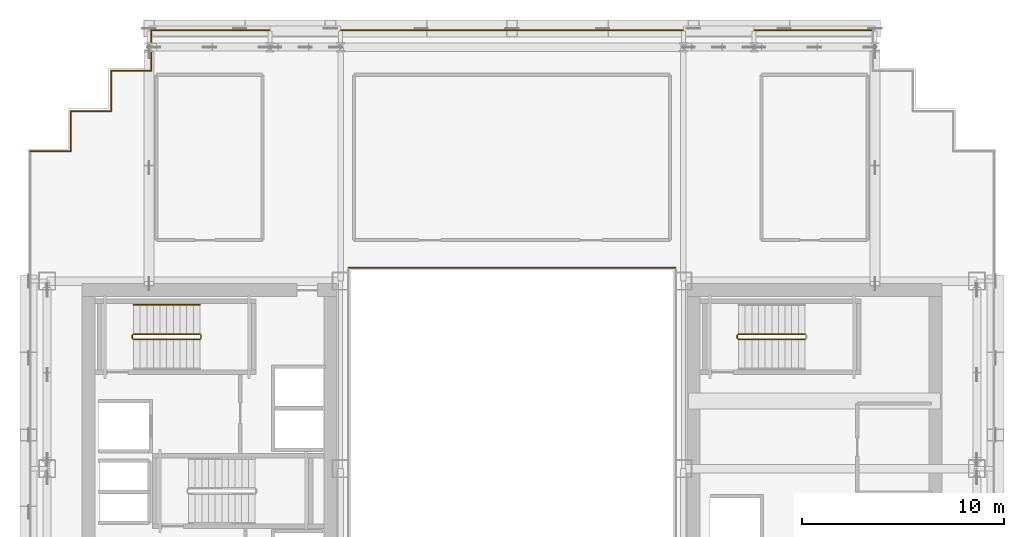
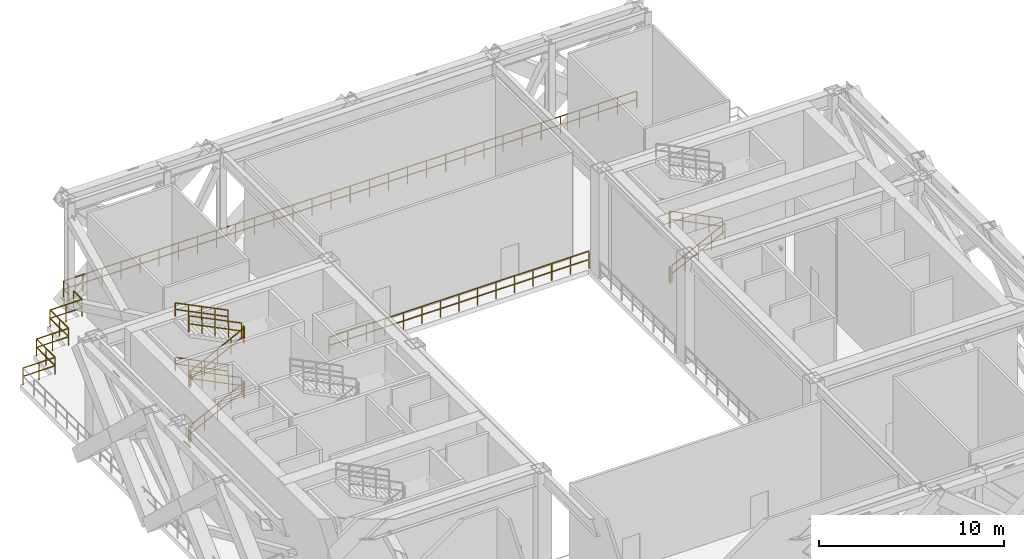
# One storey, part 13 of 14: 23 railings.
"""IFC4 building model written with IfcOpenShell, lengths in metres."""

from ifc_helpers import new_model, si_unit, direction, frame, origin, origin_2d, place, context, subcontext, project, spatial, rectangle, extrude, material, type_object, element, save


model = new_model("IFC4")

# Units and contexts
model_context = context("Model", 3, precision=1e-05, world=origin(), true_north=direction((0.0, 1.0)))
body_context = subcontext(model_context, "Body", "Model", "MODEL_VIEW")
ifc_project = project(units=[si_unit("LENGTHUNIT", "METRE"), si_unit("AREAUNIT", "SQUARE_METRE"), si_unit("VOLUMEUNIT", "CUBIC_METRE"), si_unit("PLANEANGLEUNIT", "RADIAN"), si_unit("MASSUNIT", "GRAM", prefix="KILO")], contexts=[model_context])

# Site, building, storey
site_placement = place(None, origin())
site = spatial("IfcSite", under=ifc_project, at=site_placement, CompositionType="ELEMENT")
building_placement = place(site_placement, origin())
building = spatial("IfcBuilding", under=site, at=building_placement, Name="Ocotamira Hotel", CompositionType="ELEMENT")
storey_placement = place(building_placement, frame((0.0, 0.0, 85.199951171875)))
storey = spatial("IfcBuildingStorey", under=building, at=storey_placement, Name="L21", CompositionType="ELEMENT", Elevation=85.199951171875)

# Railings
ifc_material_1 = material(Name="Painted steel stair guardrail", Category="steel")
railing_type_1 = type_object("IfcRailingType", Name="RL-EDGE-1150", PredefinedType="GUARDRAIL", material=ifc_material_1)
railing_1_placement = place(storey_placement, frame((40.10009765625, 38.1201171875, 0.0)))
element("IfcRailing", 1, at=railing_1_placement, inside=storey, type_object=railing_type_1, Name="L21 Central Atrium Edge Guardrail N", PredefinedType="GUARDRAIL", context=body_context, shape_type="SweptSolid", body=[
    extrude(rectangle(XDim=0.048095703125, YDim=0.048095703125, at=origin_2d()), frame((0.0, 0.0, 1.1259765625), z_axis=(-1.0, 0.0, 0.0), x_axis=(0.0, -1.0, 0.0)), (0.0, 0.0, 1.0), 16.2001953125),
    extrude(rectangle(XDim=0.048095703125, YDim=0.048095703125, at=origin_2d()), frame((0.0, 0.0, 0.574951171875), z_axis=(-1.0, 0.0, 0.0), x_axis=(0.0, -1.0, 0.0)), (0.0, 0.0, 1.0), 16.2001953125),
    extrude(rectangle(XDim=0.0419921875, YDim=0.0419921875, at=origin_2d()), origin(), (0.0, 0.0, 1.0), 1.101806640625),
    extrude(rectangle(XDim=0.0419921875, YDim=0.0419921875, at=origin_2d()), frame((-1.1572265625, 0.0, 0.0)), (0.0, 0.0, 1.0), 1.101806640625),
    extrude(rectangle(XDim=0.0419921875, YDim=0.0419921875, at=origin_2d()), frame((-2.314208984375, 0.0, 0.0)), (0.0, 0.0, 1.0), 1.101806640625),
    extrude(rectangle(XDim=0.0419921875, YDim=0.0419921875, at=origin_2d()), frame((-3.471435546875, 0.0, 0.0)), (0.0, 0.0, 1.0), 1.101806640625),
    extrude(rectangle(XDim=0.0419921875, YDim=0.0419921875, at=origin_2d()), frame((-4.628662109375, 0.0, 0.0)), (0.0, 0.0, 1.0), 1.101806640625),
    extrude(rectangle(XDim=0.0419921875, YDim=0.0419921875, at=origin_2d()), frame((-5.785888671875, 0.0, 0.0)), (0.0, 0.0, 1.0), 1.101806640625),
    extrude(rectangle(XDim=0.0419921875, YDim=0.0419921875, at=origin_2d()), frame((-6.94287109375, 0.0, 0.0)), (0.0, 0.0, 1.0), 1.101806640625),
    extrude(rectangle(XDim=0.0419921875, YDim=0.0419921875, at=origin_2d()), frame((-8.10009765625, 0.0, 0.0)), (0.0, 0.0, 1.0), 1.101806640625),
    extrude(rectangle(XDim=0.0419921875, YDim=0.0419921875, at=origin_2d()), frame((-9.25732421875, 0.0, 0.0)), (0.0, 0.0, 1.0), 1.101806640625),
    extrude(rectangle(XDim=0.0419921875, YDim=0.0419921875, at=origin_2d()), frame((-10.414306640625, 0.0, 0.0)), (0.0, 0.0, 1.0), 1.101806640625),
    extrude(rectangle(XDim=0.0419921875, YDim=0.0419921875, at=origin_2d()), frame((-11.571533203125, 0.0, 0.0)), (0.0, 0.0, 1.0), 1.101806640625),
    extrude(rectangle(XDim=0.0419921875, YDim=0.0419921875, at=origin_2d()), frame((-12.728759765625, 0.0, 0.0)), (0.0, 0.0, 1.0), 1.101806640625),
    extrude(rectangle(XDim=0.0419921875, YDim=0.0419921875, at=origin_2d()), frame((-13.885986328125, 0.0, 0.0)), (0.0, 0.0, 1.0), 1.101806640625),
    extrude(rectangle(XDim=0.0419921875, YDim=0.0419921875, at=origin_2d()), frame((-15.04296875, 0.0, 0.0)), (0.0, 0.0, 1.0), 1.101806640625),
    extrude(rectangle(XDim=0.0419921875, YDim=0.0419921875, at=origin_2d()), frame((-16.2001953125, 0.0, 0.0)), (0.0, 0.0, 1.0), 1.101806640625),
])
ifc_material_2 = material(Name="Brushed stainless steel handrail", Category="steel")
railing_type_2 = type_object("IfcRailingType", Name="RL-HAND-900", PredefinedType="HANDRAIL", material=ifc_material_2)
railing_2_placement = place(storey_placement, frame((16.530029296875, 36.280029296875, 2.12744140625)))
element("IfcRailing", 2, at=railing_2_placement, inside=storey, type_object=railing_type_2, Name="L21 ST-2 stair handrail 2", PredefinedType="HANDRAIL", context=body_context, shape_type="SweptSolid", body=[
    extrude(rectangle(XDim=0.048095703125, YDim=0.048095703125, at=origin_2d()), frame((0.0, 0.0, 0.8759765625), z_axis=(-0.895920123917, 0.0, 0.444215186098), x_axis=(0.0, -1.0, 0.0)), (0.0, 0.0, 1.0), 3.683349609375),
    extrude(rectangle(XDim=0.048095703125, YDim=0.048095703125, at=origin_2d()), frame((0.0, 0.0, 0.449951171875), z_axis=(-0.895920123917, 0.0, 0.444215186098), x_axis=(0.0, -1.0, 0.0)), (0.0, 0.0, 1.0), 3.683349609375),
    extrude(rectangle(XDim=0.0419921875, YDim=0.0419921875, at=origin_2d()), origin(), (0.0, 0.0, 1.0), 0.851806640625),
    extrude(rectangle(XDim=0.0419921875, YDim=0.0419921875, at=origin_2d()), frame((-0.824951171875, 0.0, 0.4091796875)), (0.0, 0.0, 1.0), 0.851806640625),
    extrude(rectangle(XDim=0.0419921875, YDim=0.0419921875, at=origin_2d()), frame((-1.64990234375, 0.0, 0.818115234375)), (0.0, 0.0, 1.0), 0.851806640625),
    extrude(rectangle(XDim=0.0419921875, YDim=0.0419921875, at=origin_2d()), frame((-2.47509765625, 0.0, 1.22705078125)), (0.0, 0.0, 1.0), 0.851806640625),
    extrude(rectangle(XDim=0.0419921875, YDim=0.0419921875, at=origin_2d()), frame((-3.300048828125, 0.0, 1.63623046875)), (0.0, 0.0, 1.0), 0.851806640625),
])
railing_3_placement = place(storey_placement, frame((16.530029296875, 36.280029296875, 5.727294921875)))
element("IfcRailing", 3, at=railing_3_placement, inside=storey, type_object=railing_type_2, Name="L21 ST-2 stair handrail 4", PredefinedType="HANDRAIL", context=body_context, shape_type="SweptSolid", body=[
    extrude(rectangle(XDim=0.048095703125, YDim=0.048095703125, at=origin_2d()), frame((0.0, 0.0, 0.8759765625), z_axis=(-0.895893744519, 0.0, 0.4442683857), x_axis=(0.0, -1.0, 0.0)), (0.0, 0.0, 1.0), 3.68359375),
    extrude(rectangle(XDim=0.048095703125, YDim=0.048095703125, at=origin_2d()), frame((0.0, 0.0, 0.449951171875), z_axis=(-0.895893744519, 0.0, 0.4442683857), x_axis=(0.0, -1.0, 0.0)), (0.0, 0.0, 1.0), 3.68359375),
    extrude(rectangle(XDim=0.0419921875, YDim=0.0419921875, at=origin_2d()), origin(), (0.0, 0.0, 1.0), 0.851806640625),
    extrude(rectangle(XDim=0.0419921875, YDim=0.0419921875, at=origin_2d()), frame((-0.824951171875, 0.0, 0.4091796875)), (0.0, 0.0, 1.0), 0.851806640625),
    extrude(rectangle(XDim=0.0419921875, YDim=0.0419921875, at=origin_2d()), frame((-1.64990234375, 0.0, 0.818359375)), (0.0, 0.0, 1.0), 0.851806640625),
    extrude(rectangle(XDim=0.0419921875, YDim=0.0419921875, at=origin_2d()), frame((-2.47509765625, 0.0, 1.227294921875)), (0.0, 0.0, 1.0), 0.851806640625),
    extrude(rectangle(XDim=0.0419921875, YDim=0.0419921875, at=origin_2d()), frame((-3.300048828125, 0.0, 1.636474609375)), (0.0, 0.0, 1.0), 0.851806640625),
])
ifc_material_3 = material(Name="Pale-metal stainless steel guardrail", Category="steel")
railing_type_3 = type_object("IfcRailingType", Name="RL-PERIM-1150", PredefinedType="GUARDRAIL", material=ifc_material_3)
railing_4_placement = place(storey_placement, frame((8.1201171875, 43.8798828125, 0.0)))
element("IfcRailing", 4, at=railing_4_placement, inside=storey, type_object=railing_type_3, Name="L21 Perimeter Guardrail WSLOT1-09", PredefinedType="GUARDRAIL", context=body_context, shape_type="SweptSolid", body=[
    extrude(rectangle(XDim=0.048095703125, YDim=0.048095703125, at=origin_2d()), frame((0.0, 0.0, 1.1259765625), z_axis=(1.0, 0.0, 0.0), x_axis=(0.0, 1.0, 0.0)), (0.0, 0.0, 1.0), 2.0),
    extrude(rectangle(XDim=0.048095703125, YDim=0.048095703125, at=origin_2d()), frame((0.0, 0.0, 0.574951171875), z_axis=(1.0, 0.0, 0.0), x_axis=(0.0, 1.0, 0.0)), (0.0, 0.0, 1.0), 2.0),
    extrude(rectangle(XDim=0.0419921875, YDim=0.0419921875, at=origin_2d()), origin(), (0.0, 0.0, 1.0), 1.101806640625),
    extrude(rectangle(XDim=0.0419921875, YDim=0.0419921875, at=origin_2d()), frame((1.0, 0.0, 0.0)), (0.0, 0.0, 1.0), 1.101806640625),
    extrude(rectangle(XDim=0.0419921875, YDim=0.0419921875, at=origin_2d()), frame((2.0, 0.0, 0.0)), (0.0, 0.0, 1.0), 1.101806640625),
])
railing_5_placement = place(storey_placement, frame((10.1201171875, 43.8798828125, 0.0)))
element("IfcRailing", 5, at=railing_5_placement, inside=storey, type_object=railing_type_3, Name="L21 Perimeter Guardrail WSLOT1-10", PredefinedType="GUARDRAIL", context=body_context, shape_type="SweptSolid", body=[
    extrude(rectangle(XDim=0.048095703125, YDim=0.048095703125, at=origin_2d()), frame((0.0, 0.0, 1.1259765625), z_axis=(0.0, 1.0, 0.0), x_axis=(-1.0, 0.0, 0.0)), (0.0, 0.0, 1.0), 2.0),
    extrude(rectangle(XDim=0.048095703125, YDim=0.048095703125, at=origin_2d()), frame((0.0, 0.0, 0.574951171875), z_axis=(0.0, 1.0, 0.0), x_axis=(-1.0, 0.0, 0.0)), (0.0, 0.0, 1.0), 2.0),
    extrude(rectangle(XDim=0.0419921875, YDim=0.0419921875, at=origin_2d()), origin(), (0.0, 0.0, 1.0), 1.101806640625),
    extrude(rectangle(XDim=0.0419921875, YDim=0.0419921875, at=origin_2d()), frame((0.0, 1.0, 0.0)), (0.0, 0.0, 1.0), 1.101806640625),
    extrude(rectangle(XDim=0.0419921875, YDim=0.0419921875, at=origin_2d()), frame((0.0, 2.0, 0.0)), (0.0, 0.0, 1.0), 1.101806640625),
])
railing_6_placement = place(storey_placement, frame((10.1201171875, 45.8798828125, 0.0)))
element("IfcRailing", 6, at=railing_6_placement, inside=storey, type_object=railing_type_3, Name="L21 Perimeter Guardrail WSLOT1-11", PredefinedType="GUARDRAIL", context=body_context, shape_type="SweptSolid", body=[
    extrude(rectangle(XDim=0.048095703125, YDim=0.048095703125, at=origin_2d()), frame((0.0, 0.0, 1.1259765625), z_axis=(1.0, 0.0, 0.0), x_axis=(0.0, 1.0, 0.0)), (0.0, 0.0, 1.0), 2.0),
    extrude(rectangle(XDim=0.048095703125, YDim=0.048095703125, at=origin_2d()), frame((0.0, 0.0, 0.574951171875), z_axis=(1.0, 0.0, 0.0), x_axis=(0.0, 1.0, 0.0)), (0.0, 0.0, 1.0), 2.0),
    extrude(rectangle(XDim=0.0419921875, YDim=0.0419921875, at=origin_2d()), origin(), (0.0, 0.0, 1.0), 1.101806640625),
    extrude(rectangle(XDim=0.0419921875, YDim=0.0419921875, at=origin_2d()), frame((1.0, 0.0, 0.0)), (0.0, 0.0, 1.0), 1.101806640625),
    extrude(rectangle(XDim=0.0419921875, YDim=0.0419921875, at=origin_2d()), frame((2.0, 0.0, 0.0)), (0.0, 0.0, 1.0), 1.101806640625),
])
railing_7_placement = place(storey_placement, frame((12.1201171875, 45.8798828125, 0.0)))
element("IfcRailing", 7, at=railing_7_placement, inside=storey, type_object=railing_type_3, Name="L21 Perimeter Guardrail WSLOT1-12", PredefinedType="GUARDRAIL", context=body_context, shape_type="SweptSolid", body=[
    extrude(rectangle(XDim=0.048095703125, YDim=0.048095703125, at=origin_2d()), frame((0.0, 0.0, 1.1259765625), z_axis=(0.0, 1.0, 0.0), x_axis=(-1.0, 0.0, 0.0)), (0.0, 0.0, 1.0), 2.0),
    extrude(rectangle(XDim=0.048095703125, YDim=0.048095703125, at=origin_2d()), frame((0.0, 0.0, 0.574951171875), z_axis=(0.0, 1.0, 0.0), x_axis=(-1.0, 0.0, 0.0)), (0.0, 0.0, 1.0), 2.0),
    extrude(rectangle(XDim=0.0419921875, YDim=0.0419921875, at=origin_2d()), origin(), (0.0, 0.0, 1.0), 1.101806640625),
    extrude(rectangle(XDim=0.0419921875, YDim=0.0419921875, at=origin_2d()), frame((0.0, 1.0, 0.0)), (0.0, 0.0, 1.0), 1.101806640625),
    extrude(rectangle(XDim=0.0419921875, YDim=0.0419921875, at=origin_2d()), frame((0.0, 2.0, 0.0)), (0.0, 0.0, 1.0), 1.101806640625),
])
railing_8_placement = place(storey_placement, frame((12.1201171875, 47.8798828125, 0.0)))
element("IfcRailing", 8, at=railing_8_placement, inside=storey, type_object=railing_type_3, Name="L21 Perimeter Guardrail WSLOT1-13", PredefinedType="GUARDRAIL", context=body_context, shape_type="SweptSolid", body=[
    extrude(rectangle(XDim=0.048095703125, YDim=0.048095703125, at=origin_2d()), frame((0.0, 0.0, 1.1259765625), z_axis=(1.0, 0.0, 0.0), x_axis=(0.0, 1.0, 0.0)), (0.0, 0.0, 1.0), 2.0),
    extrude(rectangle(XDim=0.048095703125, YDim=0.048095703125, at=origin_2d()), frame((0.0, 0.0, 0.574951171875), z_axis=(1.0, 0.0, 0.0), x_axis=(0.0, 1.0, 0.0)), (0.0, 0.0, 1.0), 2.0),
    extrude(rectangle(XDim=0.0419921875, YDim=0.0419921875, at=origin_2d()), origin(), (0.0, 0.0, 1.0), 1.101806640625),
    extrude(rectangle(XDim=0.0419921875, YDim=0.0419921875, at=origin_2d()), frame((1.0, 0.0, 0.0)), (0.0, 0.0, 1.0), 1.101806640625),
    extrude(rectangle(XDim=0.0419921875, YDim=0.0419921875, at=origin_2d()), frame((2.0, 0.0, 0.0)), (0.0, 0.0, 1.0), 1.101806640625),
])
railing_9_placement = place(storey_placement, frame((14.1201171875, 47.8798828125, 0.0)))
element("IfcRailing", 9, at=railing_9_placement, inside=storey, type_object=railing_type_3, Name="L21 Perimeter Guardrail WSLOT1-14", PredefinedType="GUARDRAIL", context=body_context, shape_type="SweptSolid", body=[
    extrude(rectangle(XDim=0.048095703125, YDim=0.048095703125, at=origin_2d()), frame((0.0, 0.0, 1.1259765625), z_axis=(0.0, 1.0, 0.0), x_axis=(-1.0, 0.0, 0.0)), (0.0, 0.0, 1.0), 0.917724609375),
    extrude(rectangle(XDim=0.048095703125, YDim=0.048095703125, at=origin_2d()), frame((0.0, 0.0, 0.574951171875), z_axis=(0.0, 1.0, 0.0), x_axis=(-1.0, 0.0, 0.0)), (0.0, 0.0, 1.0), 0.917724609375),
    extrude(rectangle(XDim=0.0419921875, YDim=0.0419921875, at=origin_2d()), origin(), (0.0, 0.0, 1.0), 1.101806640625),
    extrude(rectangle(XDim=0.0419921875, YDim=0.0419921875, at=origin_2d()), frame((0.0, 0.917724609375, 0.0)), (0.0, 0.0, 1.0), 1.101806640625),
])
railing_10_placement = place(storey_placement, frame((14.1201171875, 49.302490234375, 0.0)))
element("IfcRailing", 10, at=railing_10_placement, inside=storey, type_object=railing_type_3, Name="L21 Perimeter Guardrail WSLOT1-15", PredefinedType="GUARDRAIL", context=body_context, shape_type="SweptSolid", body=[
    extrude(rectangle(XDim=0.048095703125, YDim=0.048095703125, at=origin_2d()), frame((0.0, 0.0, 1.1259765625), z_axis=(0.0, 1.0, 0.0), x_axis=(-1.0, 0.0, 0.0)), (0.0, 0.0, 1.0), 0.577392578125),
    extrude(rectangle(XDim=0.048095703125, YDim=0.048095703125, at=origin_2d()), frame((0.0, 0.0, 0.574951171875), z_axis=(0.0, 1.0, 0.0), x_axis=(-1.0, 0.0, 0.0)), (0.0, 0.0, 1.0), 0.577392578125),
    extrude(rectangle(XDim=0.0419921875, YDim=0.0419921875, at=origin_2d()), origin(), (0.0, 0.0, 1.0), 1.101806640625),
    extrude(rectangle(XDim=0.0419921875, YDim=0.0419921875, at=origin_2d()), frame((0.0, 0.577392578125, 0.0)), (0.0, 0.0, 1.0), 1.101806640625),
])
railing_11_placement = place(storey_placement, frame((14.1201171875, 49.8798828125, 0.0)))
element("IfcRailing", 11, at=railing_11_placement, inside=storey, type_object=railing_type_3, Name="L21 Perimeter Guardrail WSLOT1-16", PredefinedType="GUARDRAIL", context=body_context, shape_type="SweptSolid", body=[
    extrude(rectangle(XDim=0.048095703125, YDim=0.048095703125, at=origin_2d()), frame((0.0, 0.0, 1.1259765625), z_axis=(1.0, 0.0, 0.0), x_axis=(0.0, 1.0, 0.0)), (0.0, 0.0, 1.0), 35.759765625),
    extrude(rectangle(XDim=0.048095703125, YDim=0.048095703125, at=origin_2d()), frame((0.0, 0.0, 0.574951171875), z_axis=(1.0, 0.0, 0.0), x_axis=(0.0, 1.0, 0.0)), (0.0, 0.0, 1.0), 35.759765625),
    extrude(rectangle(XDim=0.0419921875, YDim=0.0419921875, at=origin_2d()), origin(), (0.0, 0.0, 1.0), 1.101806640625),
    extrude(rectangle(XDim=0.0419921875, YDim=0.0419921875, at=origin_2d()), frame((1.19189453125, 0.0, 0.0)), (0.0, 0.0, 1.0), 1.101806640625),
    extrude(rectangle(XDim=0.0419921875, YDim=0.0419921875, at=origin_2d()), frame((2.384033203125, 0.0, 0.0)), (0.0, 0.0, 1.0), 1.101806640625),
    extrude(rectangle(XDim=0.0419921875, YDim=0.0419921875, at=origin_2d()), frame((3.575927734375, 0.0, 0.0)), (0.0, 0.0, 1.0), 1.101806640625),
    extrude(rectangle(XDim=0.0419921875, YDim=0.0419921875, at=origin_2d()), frame((4.76806640625, 0.0, 0.0)), (0.0, 0.0, 1.0), 1.101806640625),
    extrude(rectangle(XDim=0.0419921875, YDim=0.0419921875, at=origin_2d()), frame((5.9599609375, 0.0, 0.0)), (0.0, 0.0, 1.0), 1.101806640625),
    extrude(rectangle(XDim=0.0419921875, YDim=0.0419921875, at=origin_2d()), frame((7.15185546875, 0.0, 0.0)), (0.0, 0.0, 1.0), 1.101806640625),
    extrude(rectangle(XDim=0.0419921875, YDim=0.0419921875, at=origin_2d()), frame((8.343994140625, 0.0, 0.0)), (0.0, 0.0, 1.0), 1.101806640625),
    extrude(rectangle(XDim=0.0419921875, YDim=0.0419921875, at=origin_2d()), frame((9.535888671875, 0.0, 0.0)), (0.0, 0.0, 1.0), 1.101806640625),
    extrude(rectangle(XDim=0.0419921875, YDim=0.0419921875, at=origin_2d()), frame((10.72802734375, 0.0, 0.0)), (0.0, 0.0, 1.0), 1.101806640625),
    extrude(rectangle(XDim=0.0419921875, YDim=0.0419921875, at=origin_2d()), frame((11.919921875, 0.0, 0.0)), (0.0, 0.0, 1.0), 1.101806640625),
    extrude(rectangle(XDim=0.0419921875, YDim=0.0419921875, at=origin_2d()), frame((13.11181640625, 0.0, 0.0)), (0.0, 0.0, 1.0), 1.101806640625),
    extrude(rectangle(XDim=0.0419921875, YDim=0.0419921875, at=origin_2d()), frame((14.303955078125, 0.0, 0.0)), (0.0, 0.0, 1.0), 1.101806640625),
    extrude(rectangle(XDim=0.0419921875, YDim=0.0419921875, at=origin_2d()), frame((15.495849609375, 0.0, 0.0)), (0.0, 0.0, 1.0), 1.101806640625),
    extrude(rectangle(XDim=0.0419921875, YDim=0.0419921875, at=origin_2d()), frame((16.68798828125, 0.0, 0.0)), (0.0, 0.0, 1.0), 1.101806640625),
    extrude(rectangle(XDim=0.0419921875, YDim=0.0419921875, at=origin_2d()), frame((17.8798828125, 0.0, 0.0)), (0.0, 0.0, 1.0), 1.101806640625),
    extrude(rectangle(XDim=0.0419921875, YDim=0.0419921875, at=origin_2d()), frame((19.07177734375, 0.0, 0.0)), (0.0, 0.0, 1.0), 1.101806640625),
    extrude(rectangle(XDim=0.0419921875, YDim=0.0419921875, at=origin_2d()), frame((20.263916015625, 0.0, 0.0)), (0.0, 0.0, 1.0), 1.101806640625),
    extrude(rectangle(XDim=0.0419921875, YDim=0.0419921875, at=origin_2d()), frame((21.455810546875, 0.0, 0.0)), (0.0, 0.0, 1.0), 1.101806640625),
    extrude(rectangle(XDim=0.0419921875, YDim=0.0419921875, at=origin_2d()), frame((22.64794921875, 0.0, 0.0)), (0.0, 0.0, 1.0), 1.101806640625),
    extrude(rectangle(XDim=0.0419921875, YDim=0.0419921875, at=origin_2d()), frame((23.83984375, 0.0, 0.0)), (0.0, 0.0, 1.0), 1.101806640625),
    extrude(rectangle(XDim=0.0419921875, YDim=0.0419921875, at=origin_2d()), frame((25.03173828125, 0.0, 0.0)), (0.0, 0.0, 1.0), 1.101806640625),
    extrude(rectangle(XDim=0.0419921875, YDim=0.0419921875, at=origin_2d()), frame((26.223876953125, 0.0, 0.0)), (0.0, 0.0, 1.0), 1.101806640625),
    extrude(rectangle(XDim=0.0419921875, YDim=0.0419921875, at=origin_2d()), frame((27.415771484375, 0.0, 0.0)), (0.0, 0.0, 1.0), 1.101806640625),
    extrude(rectangle(XDim=0.0419921875, YDim=0.0419921875, at=origin_2d()), frame((28.60791015625, 0.0, 0.0)), (0.0, 0.0, 1.0), 1.101806640625),
    extrude(rectangle(XDim=0.0419921875, YDim=0.0419921875, at=origin_2d()), frame((29.7998046875, 0.0, 0.0)), (0.0, 0.0, 1.0), 1.101806640625),
    extrude(rectangle(XDim=0.0419921875, YDim=0.0419921875, at=origin_2d()), frame((30.99169921875, 0.0, 0.0)), (0.0, 0.0, 1.0), 1.101806640625),
    extrude(rectangle(XDim=0.0419921875, YDim=0.0419921875, at=origin_2d()), frame((32.183837890625, 0.0, 0.0)), (0.0, 0.0, 1.0), 1.101806640625),
    extrude(rectangle(XDim=0.0419921875, YDim=0.0419921875, at=origin_2d()), frame((33.375732421875, 0.0, 0.0)), (0.0, 0.0, 1.0), 1.101806640625),
    extrude(rectangle(XDim=0.0419921875, YDim=0.0419921875, at=origin_2d()), frame((34.56787109375, 0.0, 0.0)), (0.0, 0.0, 1.0), 1.101806640625),
    extrude(rectangle(XDim=0.0419921875, YDim=0.0419921875, at=origin_2d()), frame((35.759765625, 0.0, 0.0)), (0.0, 0.0, 1.0), 1.101806640625),
])
railing_type_4 = type_object("IfcRailingType", Name="RL-STAIR-1100", PredefinedType="GUARDRAIL", material=ifc_material_1)
railing_12_placement = place(storey_placement, frame((13.22998046875, 34.56005859375, 0.16357421875)))
element("IfcRailing", 12, at=railing_12_placement, inside=storey, type_object=railing_type_4, Name="L21 ST-2 stair guard 1", PredefinedType="GUARDRAIL", context=body_context, shape_type="SweptSolid", body=[
    extrude(rectangle(XDim=0.048095703125, YDim=0.048095703125, at=origin_2d()), frame((0.0, 0.0, 1.076171875), z_axis=(0.895893744519, 0.0, 0.4442683857), x_axis=(0.0, 1.0, 0.0)), (0.0, 0.0, 1.0), 3.68359375),
    extrude(rectangle(XDim=0.048095703125, YDim=0.048095703125, at=origin_2d()), frame((0.0, 0.0, 0.550048828125), z_axis=(0.895893744519, 0.0, 0.4442683857), x_axis=(0.0, 1.0, 0.0)), (0.0, 0.0, 1.0), 3.68359375),
    extrude(rectangle(XDim=0.0419921875, YDim=0.0419921875, at=origin_2d()), origin(), (0.0, 0.0, 1.0), 1.052001953125),
    extrude(rectangle(XDim=0.0419921875, YDim=0.0419921875, at=origin_2d()), frame((0.824951171875, 0.0, 0.4091796875)), (0.0, 0.0, 1.0), 1.052001953125),
    extrude(rectangle(XDim=0.0419921875, YDim=0.0419921875, at=origin_2d()), frame((1.64990234375, 0.0, 0.818359375)), (0.0, 0.0, 1.0), 1.052001953125),
    extrude(rectangle(XDim=0.0419921875, YDim=0.0419921875, at=origin_2d()), frame((2.47509765625, 0.0, 1.227294921875)), (0.0, 0.0, 1.0), 1.052001953125),
    extrude(rectangle(XDim=0.0419921875, YDim=0.0419921875, at=origin_2d()), frame((3.300048828125, 0.0, 1.636474609375)), (0.0, 0.0, 1.0), 1.052001953125),
])
railing_13_placement = place(storey_placement, frame((16.580078125, 34.610107421875, 1.800048828125)))
element("IfcRailing", 13, at=railing_13_placement, inside=storey, type_object=railing_type_4, Name="L21 ST-2 stair guard 2", PredefinedType="GUARDRAIL", context=body_context, shape_type="SweptSolid", body=[
    extrude(rectangle(XDim=0.048095703125, YDim=0.048095703125, at=origin_2d()), frame((0.0, 0.0, 1.076171875), z_axis=(0.0, 1.0, 0.0), x_axis=(-1.0, 0.0, 0.0)), (0.0, 0.0, 1.0), 0.159912109375),
    extrude(rectangle(XDim=0.048095703125, YDim=0.048095703125, at=origin_2d()), frame((0.0, 0.0, 0.550048828125), z_axis=(0.0, 1.0, 0.0), x_axis=(-1.0, 0.0, 0.0)), (0.0, 0.0, 1.0), 0.159912109375),
    extrude(rectangle(XDim=0.0419921875, YDim=0.0419921875, at=origin_2d()), origin(), (0.0, 0.0, 1.0), 1.052001953125),
    extrude(rectangle(XDim=0.0419921875, YDim=0.0419921875, at=origin_2d()), frame((0.0, 0.159912109375, 0.0)), (0.0, 0.0, 1.0), 1.052001953125),
])
railing_14_placement = place(storey_placement, frame((16.530029296875, 34.820068359375, 1.963623046875)))
element("IfcRailing", 14, at=railing_14_placement, inside=storey, type_object=railing_type_4, Name="L21 ST-2 stair guard 3", PredefinedType="GUARDRAIL", context=body_context, shape_type="SweptSolid", body=[
    extrude(rectangle(XDim=0.048095703125, YDim=0.048095703125, at=origin_2d()), frame((0.0, 0.0, 1.076171875), z_axis=(-0.895893744519, 0.0, 0.4442683857), x_axis=(0.0, -1.0, 0.0)), (0.0, 0.0, 1.0), 3.68359375),
    extrude(rectangle(XDim=0.048095703125, YDim=0.048095703125, at=origin_2d()), frame((0.0, 0.0, 0.550048828125), z_axis=(-0.895893744519, 0.0, 0.4442683857), x_axis=(0.0, -1.0, 0.0)), (0.0, 0.0, 1.0), 3.68359375),
    extrude(rectangle(XDim=0.0419921875, YDim=0.0419921875, at=origin_2d()), origin(), (0.0, 0.0, 1.0), 1.052001953125),
    extrude(rectangle(XDim=0.0419921875, YDim=0.0419921875, at=origin_2d()), frame((-0.824951171875, 0.0, 0.4091796875)), (0.0, 0.0, 1.0), 1.052001953125),
    extrude(rectangle(XDim=0.0419921875, YDim=0.0419921875, at=origin_2d()), frame((-1.64990234375, 0.0, 0.818359375)), (0.0, 0.0, 1.0), 1.052001953125),
    extrude(rectangle(XDim=0.0419921875, YDim=0.0419921875, at=origin_2d()), frame((-2.47509765625, 0.0, 1.227294921875)), (0.0, 0.0, 1.0), 1.052001953125),
    extrude(rectangle(XDim=0.0419921875, YDim=0.0419921875, at=origin_2d()), frame((-3.300048828125, 0.0, 1.636474609375)), (0.0, 0.0, 1.0), 1.052001953125),
])
railing_15_placement = place(storey_placement, frame((13.179931640625, 34.610107421875, 3.60009765625)))
element("IfcRailing", 15, at=railing_15_placement, inside=storey, type_object=railing_type_4, Name="L21 ST-2 stair guard 4", PredefinedType="GUARDRAIL", context=body_context, shape_type="SweptSolid", body=[
    extrude(rectangle(XDim=0.048095703125, YDim=0.048095703125, at=origin_2d()), frame((0.0, 0.0, 1.076171875), z_axis=(0.0, 1.0, 0.0), x_axis=(-1.0, 0.0, 0.0)), (0.0, 0.0, 1.0), 0.159912109375),
    extrude(rectangle(XDim=0.048095703125, YDim=0.048095703125, at=origin_2d()), frame((0.0, 0.0, 0.550048828125), z_axis=(0.0, 1.0, 0.0), x_axis=(-1.0, 0.0, 0.0)), (0.0, 0.0, 1.0), 0.159912109375),
    extrude(rectangle(XDim=0.0419921875, YDim=0.0419921875, at=origin_2d()), origin(), (0.0, 0.0, 1.0), 1.052001953125),
    extrude(rectangle(XDim=0.0419921875, YDim=0.0419921875, at=origin_2d()), frame((0.0, 0.159912109375, 0.0)), (0.0, 0.0, 1.0), 1.052001953125),
])
railing_16_placement = place(storey_placement, frame((13.22998046875, 34.56005859375, 3.763671875)))
element("IfcRailing", 16, at=railing_16_placement, inside=storey, type_object=railing_type_4, Name="L21 ST-2 stair guard 5", PredefinedType="GUARDRAIL", context=body_context, shape_type="SweptSolid", body=[
    extrude(rectangle(XDim=0.048095703125, YDim=0.048095703125, at=origin_2d()), frame((0.0, 0.0, 1.076171875), z_axis=(0.895893744519, 0.0, 0.4442683857), x_axis=(0.0, 1.0, 0.0)), (0.0, 0.0, 1.0), 3.68359375),
    extrude(rectangle(XDim=0.048095703125, YDim=0.048095703125, at=origin_2d()), frame((0.0, 0.0, 0.550048828125), z_axis=(0.895893744519, 0.0, 0.4442683857), x_axis=(0.0, 1.0, 0.0)), (0.0, 0.0, 1.0), 3.68359375),
    extrude(rectangle(XDim=0.0419921875, YDim=0.0419921875, at=origin_2d()), origin(), (0.0, 0.0, 1.0), 1.052001953125),
    extrude(rectangle(XDim=0.0419921875, YDim=0.0419921875, at=origin_2d()), frame((0.824951171875, 0.0, 0.4091796875)), (0.0, 0.0, 1.0), 1.052001953125),
    extrude(rectangle(XDim=0.0419921875, YDim=0.0419921875, at=origin_2d()), frame((1.64990234375, 0.0, 0.818359375)), (0.0, 0.0, 1.0), 1.052001953125),
    extrude(rectangle(XDim=0.0419921875, YDim=0.0419921875, at=origin_2d()), frame((2.47509765625, 0.0, 1.227294921875)), (0.0, 0.0, 1.0), 1.052001953125),
    extrude(rectangle(XDim=0.0419921875, YDim=0.0419921875, at=origin_2d()), frame((3.300048828125, 0.0, 1.636474609375)), (0.0, 0.0, 1.0), 1.052001953125),
])
railing_17_placement = place(storey_placement, frame((16.580078125, 34.610107421875, 5.400146484375)))
element("IfcRailing", 17, at=railing_17_placement, inside=storey, type_object=railing_type_4, Name="L21 ST-2 stair guard 6", PredefinedType="GUARDRAIL", context=body_context, shape_type="SweptSolid", body=[
    extrude(rectangle(XDim=0.048095703125, YDim=0.048095703125, at=origin_2d()), frame((0.0, 0.0, 1.076171875), z_axis=(0.0, 1.0, 0.0), x_axis=(-1.0, 0.0, 0.0)), (0.0, 0.0, 1.0), 0.159912109375),
    extrude(rectangle(XDim=0.048095703125, YDim=0.048095703125, at=origin_2d()), frame((0.0, 0.0, 0.550048828125), z_axis=(0.0, 1.0, 0.0), x_axis=(-1.0, 0.0, 0.0)), (0.0, 0.0, 1.0), 0.159912109375),
    extrude(rectangle(XDim=0.0419921875, YDim=0.0419921875, at=origin_2d()), origin(), (0.0, 0.0, 1.0), 1.052001953125),
    extrude(rectangle(XDim=0.0419921875, YDim=0.0419921875, at=origin_2d()), frame((0.0, 0.159912109375, 0.0)), (0.0, 0.0, 1.0), 1.052001953125),
])
railing_18_placement = place(storey_placement, frame((16.530029296875, 34.820068359375, 5.563720703125)))
element("IfcRailing", 18, at=railing_18_placement, inside=storey, type_object=railing_type_4, Name="L21 ST-2 stair guard 7", PredefinedType="GUARDRAIL", context=body_context, shape_type="SweptSolid", body=[
    extrude(rectangle(XDim=0.048095703125, YDim=0.048095703125, at=origin_2d()), frame((0.0, 0.0, 1.076171875), z_axis=(-0.895920123917, 0.0, 0.444215186098), x_axis=(0.0, -1.0, 0.0)), (0.0, 0.0, 1.0), 3.683349609375),
    extrude(rectangle(XDim=0.048095703125, YDim=0.048095703125, at=origin_2d()), frame((0.0, 0.0, 0.550048828125), z_axis=(-0.895920123917, 0.0, 0.444215186098), x_axis=(0.0, -1.0, 0.0)), (0.0, 0.0, 1.0), 3.683349609375),
    extrude(rectangle(XDim=0.0419921875, YDim=0.0419921875, at=origin_2d()), origin(), (0.0, 0.0, 1.0), 1.052001953125),
    extrude(rectangle(XDim=0.0419921875, YDim=0.0419921875, at=origin_2d()), frame((-0.824951171875, 0.0, 0.4091796875)), (0.0, 0.0, 1.0), 1.052001953125),
    extrude(rectangle(XDim=0.0419921875, YDim=0.0419921875, at=origin_2d()), frame((-1.64990234375, 0.0, 0.818115234375)), (0.0, 0.0, 1.0), 1.052001953125),
    extrude(rectangle(XDim=0.0419921875, YDim=0.0419921875, at=origin_2d()), frame((-2.47509765625, 0.0, 1.22705078125)), (0.0, 0.0, 1.0), 1.052001953125),
    extrude(rectangle(XDim=0.0419921875, YDim=0.0419921875, at=origin_2d()), frame((-3.300048828125, 0.0, 1.63623046875)), (0.0, 0.0, 1.0), 1.052001953125),
])
railing_19_placement = place(storey_placement, frame((13.179931640625, 34.610107421875, 0.0)))
element("IfcRailing", 19, at=railing_19_placement, inside=storey, type_object=railing_type_4, Name="L21 ST-2 stair guard 8", PredefinedType="GUARDRAIL", context=body_context, shape_type="SweptSolid", body=[
    extrude(rectangle(XDim=0.048095703125, YDim=0.048095703125, at=origin_2d()), frame((0.0, 0.0, 1.076171875), z_axis=(0.0, 1.0, 0.0), x_axis=(-1.0, 0.0, 0.0)), (0.0, 0.0, 1.0), 0.159912109375),
    extrude(rectangle(XDim=0.048095703125, YDim=0.048095703125, at=origin_2d()), frame((0.0, 0.0, 0.550048828125), z_axis=(0.0, 1.0, 0.0), x_axis=(-1.0, 0.0, 0.0)), (0.0, 0.0, 1.0), 0.159912109375),
    extrude(rectangle(XDim=0.0419921875, YDim=0.0419921875, at=origin_2d()), origin(), (0.0, 0.0, 1.0), 1.052001953125),
    extrude(rectangle(XDim=0.0419921875, YDim=0.0419921875, at=origin_2d()), frame((0.0, 0.159912109375, 0.0)), (0.0, 0.0, 1.0), 1.052001953125),
])
railing_20_placement = place(storey_placement, frame((43.22998046875, 34.56005859375, 0.16357421875)))
element("IfcRailing", 20, at=railing_20_placement, inside=storey, type_object=railing_type_4, Name="L21 ST-4 stair guard 1", PredefinedType="GUARDRAIL", context=body_context, shape_type="SweptSolid", body=[
    extrude(rectangle(XDim=0.048095703125, YDim=0.048095703125, at=origin_2d()), frame((0.0, 0.0, 1.076171875), z_axis=(0.895893744519, 0.0, 0.4442683857), x_axis=(0.0, 1.0, 0.0)), (0.0, 0.0, 1.0), 3.68359375),
    extrude(rectangle(XDim=0.048095703125, YDim=0.048095703125, at=origin_2d()), frame((0.0, 0.0, 0.550048828125), z_axis=(0.895893744519, 0.0, 0.4442683857), x_axis=(0.0, 1.0, 0.0)), (0.0, 0.0, 1.0), 3.68359375),
    extrude(rectangle(XDim=0.0419921875, YDim=0.0419921875, at=origin_2d()), origin(), (0.0, 0.0, 1.0), 1.052001953125),
    extrude(rectangle(XDim=0.0419921875, YDim=0.0419921875, at=origin_2d()), frame((0.824951171875, 0.0, 0.4091796875)), (0.0, 0.0, 1.0), 1.052001953125),
    extrude(rectangle(XDim=0.0419921875, YDim=0.0419921875, at=origin_2d()), frame((1.64990234375, 0.0, 0.818359375)), (0.0, 0.0, 1.0), 1.052001953125),
    extrude(rectangle(XDim=0.0419921875, YDim=0.0419921875, at=origin_2d()), frame((2.47509765625, 0.0, 1.227294921875)), (0.0, 0.0, 1.0), 1.052001953125),
    extrude(rectangle(XDim=0.0419921875, YDim=0.0419921875, at=origin_2d()), frame((3.300048828125, 0.0, 1.636474609375)), (0.0, 0.0, 1.0), 1.052001953125),
])
railing_21_placement = place(storey_placement, frame((46.530029296875, 34.820068359375, 1.963623046875)))
element("IfcRailing", 21, at=railing_21_placement, inside=storey, type_object=railing_type_4, Name="L21 ST-4 stair guard 3", PredefinedType="GUARDRAIL", context=body_context, shape_type="SweptSolid", body=[
    extrude(rectangle(XDim=0.048095703125, YDim=0.048095703125, at=origin_2d()), frame((0.0, 0.0, 1.076171875), z_axis=(-0.895893744519, 0.0, 0.4442683857), x_axis=(0.0, -1.0, 0.0)), (0.0, 0.0, 1.0), 3.68359375),
    extrude(rectangle(XDim=0.048095703125, YDim=0.048095703125, at=origin_2d()), frame((0.0, 0.0, 0.550048828125), z_axis=(-0.895893744519, 0.0, 0.4442683857), x_axis=(0.0, -1.0, 0.0)), (0.0, 0.0, 1.0), 3.68359375),
    extrude(rectangle(XDim=0.0419921875, YDim=0.0419921875, at=origin_2d()), origin(), (0.0, 0.0, 1.0), 1.052001953125),
    extrude(rectangle(XDim=0.0419921875, YDim=0.0419921875, at=origin_2d()), frame((-0.824951171875, 0.0, 0.4091796875)), (0.0, 0.0, 1.0), 1.052001953125),
    extrude(rectangle(XDim=0.0419921875, YDim=0.0419921875, at=origin_2d()), frame((-1.64990234375, 0.0, 0.818359375)), (0.0, 0.0, 1.0), 1.052001953125),
    extrude(rectangle(XDim=0.0419921875, YDim=0.0419921875, at=origin_2d()), frame((-2.47509765625, 0.0, 1.227294921875)), (0.0, 0.0, 1.0), 1.052001953125),
    extrude(rectangle(XDim=0.0419921875, YDim=0.0419921875, at=origin_2d()), frame((-3.300048828125, 0.0, 1.636474609375)), (0.0, 0.0, 1.0), 1.052001953125),
])
for number, where, name in (
    (22, (43.179931640625, 34.610107421875, 3.60009765625), "L21 ST-4 stair guard 4"),
    (23, (43.179931640625, 34.610107421875, 0.0), "L21 ST-4 stair guard 8"),
):
    element("IfcRailing", number, at=place(storey_placement, frame(where)), inside=storey, type_object=railing_type_4, Name=name, PredefinedType="GUARDRAIL", context=body_context, shape_type="SweptSolid", body=[
        extrude(rectangle(XDim=0.048095703125, YDim=0.048095703125, at=origin_2d()), frame((0.0, 0.0, 1.076171875), z_axis=(0.0, 1.0, 0.0), x_axis=(-1.0, 0.0, 0.0)), (0.0, 0.0, 1.0), 0.159912109375),
        extrude(rectangle(XDim=0.048095703125, YDim=0.048095703125, at=origin_2d()), frame((0.0, 0.0, 0.550048828125), z_axis=(0.0, 1.0, 0.0), x_axis=(-1.0, 0.0, 0.0)), (0.0, 0.0, 1.0), 0.159912109375),
        extrude(rectangle(XDim=0.0419921875, YDim=0.0419921875, at=origin_2d()), origin(), (0.0, 0.0, 1.0), 1.052001953125),
        extrude(rectangle(XDim=0.0419921875, YDim=0.0419921875, at=origin_2d()), frame((0.0, 0.159912109375, 0.0)), (0.0, 0.0, 1.0), 1.052001953125),
    ])

save(model, "model.ifc")
